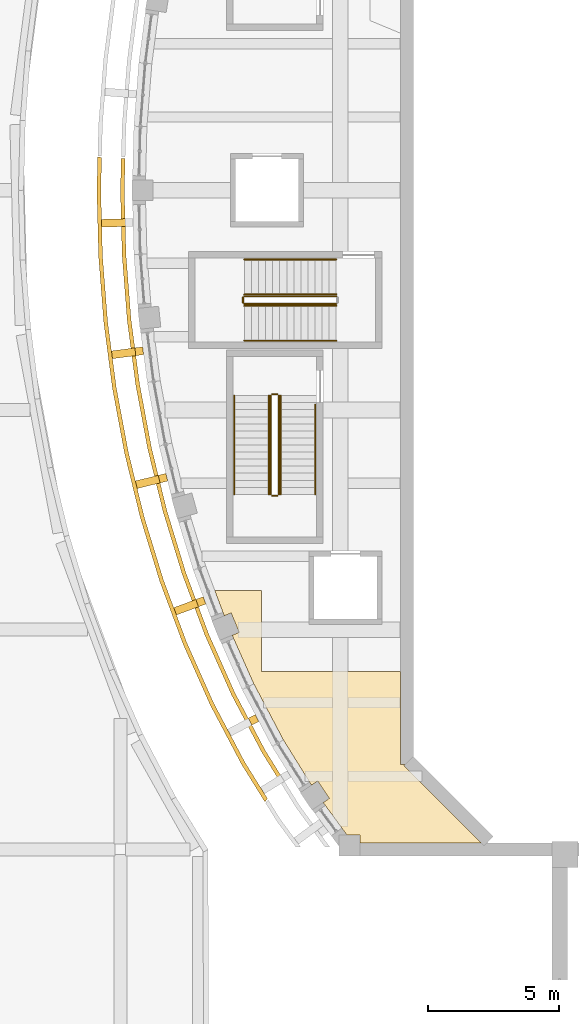
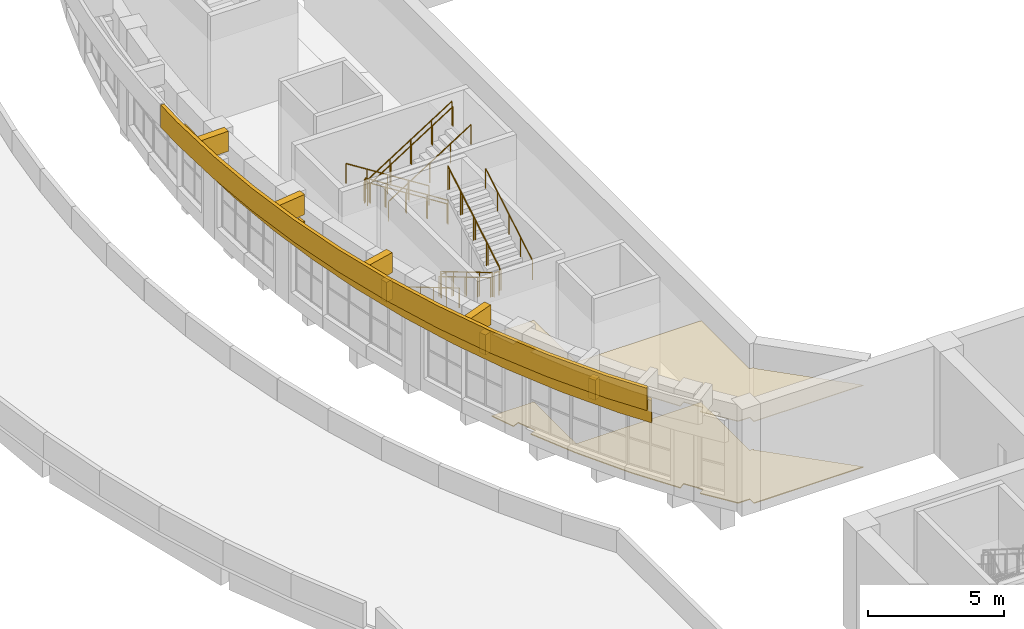
# One storey, part 67 of 79: 15 railings, 12 coverings.
"""IFC4 building model written with IfcOpenShell, lengths in metres."""

from ifc_helpers import new_model, si_unit, direction, frame, origin, origin_2d, place, context, subcontext, project, spatial, polyline, rectangle, circle, outline, extrude, material, layer, layer_set, type_object, element, save


model = new_model("IFC4")

# Units and contexts
model_context = context("Model", 3, precision=1e-05, world=origin(), true_north=direction((0.0, 1.0)))
body_context = subcontext(model_context, "Body", "Model", "MODEL_VIEW")
ifc_project = project(units=[si_unit("LENGTHUNIT", "METRE"), si_unit("AREAUNIT", "SQUARE_METRE"), si_unit("VOLUMEUNIT", "CUBIC_METRE"), si_unit("PLANEANGLEUNIT", "RADIAN"), si_unit("MASSUNIT", "GRAM", prefix="KILO")], contexts=[model_context])

# Site, building, storey
site_placement = place(None, origin())
site = spatial("IfcSite", under=ifc_project, at=site_placement, CompositionType="ELEMENT")
building_placement = place(site_placement, origin())
building = spatial("IfcBuilding", under=site, at=building_placement, Name="Larchfold Concert Hall", CompositionType="ELEMENT")
storey_placement = place(building_placement, frame((0.0, 0.0, 14.39990234375)))
storey = spatial("IfcBuildingStorey", under=building, at=storey_placement, Name="L03", CompositionType="ELEMENT", Elevation=14.39990234375)

# Coverings
ifc_material_1 = material(Name="Plasterboard ceiling lining")
ifc_layer_1 = layer(ifc_material_1, 0.030029296875)
ifc_layer_set_1 = layer_set([ifc_layer_1], Name="Plasterboard ceiling lining")
covering_type_1 = type_object("IfcCoveringType", Name="Ceiling suspended plasterboard 30", PredefinedType="CEILING", material=ifc_layer_set_1)
covering_1_placement = place(storey_placement, frame((0.0, 0.0, 3.670166015625)))
element("IfcCovering", 1, at=covering_1_placement, inside=storey, type_object=covering_type_1, Name="Ceiling Hall Foyer South West", PredefinedType="CEILING", context=body_context, shape_type="SweptSolid", body=[
    extrude(outline(polyline([(28.10009765625, 66.199951171875), (22.800048828125, 66.199951171875), (22.800048828125, 69.300048828125), (21.00634765625, 69.300048828125), (21.367919921875, 68.328369140625), (21.63427734375, 68.43701171875), (21.936279296875, 67.696044921875), (21.670166015625, 67.587646484375), (22.4970703125, 65.731201171875), (23.63134765625, 63.580078125), (24.702880859375, 61.855224609375), (24.93896484375, 62.014404296875), (25.385986328125, 61.35107421875), (25.150390625, 61.1923828125), (26.060302734375, 59.94970703125), (26.552978515625, 59.94970703125), (26.552978515625, 59.64990234375), (31.196533203125, 59.64990234375), (28.24609375, 62.600341796875), (28.29443359375, 62.648681640625), (28.10009765625, 62.648681640625), (28.10009765625, 66.199951171875)])), origin(), (0.0, 0.0, 1.0), 0.030029296875),
])
ifc_material_2 = material(Name="Polished terrazzo")
ifc_layer_2 = layer(ifc_material_2, 0.0400390625)
ifc_layer_set_2 = layer_set([ifc_layer_2], Name="Polished terrazzo")
covering_type_2 = type_object("IfcCoveringType", Name="Floor finish terrazzo 40", PredefinedType="FLOORING", material=ifc_layer_set_2)
covering_2_placement = place(storey_placement, origin())
element("IfcCovering", 2, at=covering_2_placement, inside=storey, type_object=covering_type_2, Name="Floor finish Hall Foyer South West", PredefinedType="FLOORING", context=body_context, shape_type="SweptSolid", body=[
    extrude(outline(polyline([(28.10009765625, 66.199951171875), (22.800048828125, 66.199951171875), (22.800048828125, 69.300048828125), (21.00634765625, 69.300048828125), (21.367919921875, 68.328369140625), (21.63427734375, 68.43701171875), (21.936279296875, 67.696044921875), (21.670166015625, 67.587646484375), (22.4970703125, 65.731201171875), (23.63134765625, 63.580078125), (24.702880859375, 61.855224609375), (24.93896484375, 62.014404296875), (25.385986328125, 61.35107421875), (25.150390625, 61.1923828125), (26.060302734375, 59.94970703125), (26.552978515625, 59.94970703125), (26.552978515625, 59.64990234375), (31.196533203125, 59.64990234375), (28.24609375, 62.600341796875), (28.29443359375, 62.648681640625), (28.10009765625, 62.648681640625), (28.10009765625, 66.199951171875)])), origin(), (0.0, 0.0, 1.0), 0.0400390625),
])
ifc_material_3 = material(Name="Powder-coated orange aluminium", Category="aluminium")
ifc_layer_3 = layer(ifc_material_3, 0.14990234375)
ifc_layer_set_3 = layer_set([ifc_layer_3], Name="Powder-coated orange aluminium")
covering_type_3 = type_object("IfcCoveringType", Name="Orange aluminium ring cladding", PredefinedType="CLADDING", material=ifc_layer_set_3)
covering_3_placement = place(storey_placement, frame((0.0, 0.0, 3.300048828125)))
element("IfcCovering", 3, at=covering_3_placement, inside=storey, type_object=covering_type_3, Name="Ring band R06c", PredefinedType="CLADDING", context=body_context, shape_type="SweptSolid", body=[
    extrude(outline(polyline([(17.550048828125, 84.60009765625), (17.581298828125, 85.81298828125), (17.431396484375, 85.8203125), (17.39990234375, 84.60009765625), (17.46435546875, 82.115478515625), (17.658203125, 79.63720703125), (17.982666015625, 77.172119140625), (18.439208984375, 74.727294921875), (19.030029296875, 72.31005859375), (19.75830078125, 69.92919921875), (20.627685546875, 67.59423828125), (21.641845703125, 65.315673828125), (22.806640625, 63.107177734375), (23.52978515625, 61.943115234375), (23.63134765625, 62.06396484375), (22.936767578125, 63.181640625), (21.77685546875, 65.38134765625), (20.7666015625, 67.65087890625), (19.900634765625, 69.9775390625), (19.1748046875, 72.349853515625), (18.5859375, 74.7587890625), (18.130859375, 77.19580078125), (17.807373046875, 79.65283203125), (17.614013671875, 82.123291015625), (17.550048828125, 84.60009765625)])), origin(), (0.0, 0.0, 1.0), 1.0),
])
covering_4_placement = place(storey_placement, frame((0.0, 0.0, 4.5)))
element("IfcCovering", 4, at=covering_4_placement, inside=storey, type_object=covering_type_3, Name="Ring band R07c", PredefinedType="CLADDING", context=body_context, shape_type="SweptSolid", body=[
    extrude(outline(polyline([(16.649658203125, 84.60009765625), (16.68212890625, 85.857421875), (16.5322265625, 85.86474609375), (16.499755859375, 84.60009765625), (16.565185546875, 82.06884765625), (16.762939453125, 79.543212890625), (17.093505859375, 77.03076171875), (17.55908203125, 74.53759765625), (18.161865234375, 72.071533203125), (18.905517578125, 69.640380859375), (19.7939453125, 67.25390625), (20.831787109375, 64.92236328125), (22.025390625, 62.6591796875), (22.920654296875, 61.21826171875), (23.022216796875, 61.339111328125), (22.155517578125, 62.73388671875), (20.966796875, 64.988037109375), (19.932861328125, 67.310546875), (19.0478515625, 69.6884765625), (18.306640625, 72.111328125), (17.705810546875, 74.5693359375), (17.24169921875, 77.054443359375), (16.912109375, 79.558837890625), (16.715087890625, 82.076416015625), (16.649658203125, 84.60009765625)])), origin(), (0.0, 0.0, 1.0), 1.0),
])
ifc_material_4 = material(Name="Galvanised steel bracket", Category="steel")
ifc_layer_4 = layer(ifc_material_4, 0.300048828125)
ifc_layer_set_4 = layer_set([ifc_layer_4], Name="Galvanised steel bracket")
covering_type_4 = type_object("IfcCoveringType", Name="Ring support bracket", PredefinedType="CLADDING", material=ifc_layer_set_4)
for number, where, z_axis, x_axis, name in (
    (5, (18.117919921875, 78.44384765625, 3.35009765625), (0.0, 0.0, 1.0), (-0.991449907596, -0.130487856632, 0.0), "Ring bracket BR-R06-21"),
    (6, (19.026123046875, 73.590087890625, 3.35009765625), (0.0, 0.0, 1.0), (-0.971411707345, -0.237401126438, 0.0), "Ring bracket BR-R06-22"),
    (7, (20.47412109375, 68.86669921875, 3.35009765625), (0.0, 0.0, 1.0), (-0.937177411386, -0.348853120364, 0.0), "Ring bracket BR-R06-23"),
    (8, (22.489501953125, 64.351806640625, 3.35009765625), (0.0, 0.0, 1.0), (-0.884535681061, -0.466472538238, 0.0), "Ring bracket BR-R06-24"),
):
    element("IfcCovering", number, at=place(storey_placement, frame(where, z_axis=z_axis, x_axis=x_axis)), inside=storey, type_object=covering_type_4, Name=name, PredefinedType="CLADDING", context=body_context, shape_type="SweptSolid", body=[
        extrude(rectangle(XDim=0.300048828125, YDim=0.300048828125, at=origin_2d()), origin(), (0.0, 0.0, 1.0), 0.89990234375),
    ])
for number, where, z_axis, x_axis, name in (
    (9, (17.2822265625, 83.35400390625, 4.550048828125), (0.0, 0.0, 1.0), (-0.999665014874, -0.025881615792, 0.0), "Ring bracket BR-R07-20"),
    (10, (17.671630859375, 78.38525390625, 4.550048828125), (0.0, 0.0, 1.0), (-0.991449907596, -0.130487856632, 0.0), "Ring bracket BR-R07-21"),
    (11, (18.5888671875, 73.4833984375, 4.550048828125), (0.0, 0.0, 1.0), (-0.971411707345, -0.237401126438, 0.0), "Ring bracket BR-R07-22"),
    (12, (20.05224609375, 68.709716796875, 4.550048828125), (0.0, 0.0, 1.0), (-0.937177411386, -0.348853120364, 0.0), "Ring bracket BR-R07-23"),
):
    element("IfcCovering", number, at=place(storey_placement, frame(where, z_axis=z_axis, x_axis=x_axis)), inside=storey, type_object=covering_type_4, Name=name, PredefinedType="CLADDING", context=body_context, shape_type="SweptSolid", body=[
        extrude(rectangle(XDim=1.199951171875, YDim=0.300048828125, at=origin_2d()), origin(), (0.0, 0.0, 1.0), 0.89990234375),
    ])

# Railings
ifc_material_5 = material(Name="Stainless steel balustrade", Category="steel")
railing_type_1 = type_object("IfcRailingType", Name="Stair guard 1100", PredefinedType="GUARDRAIL", material=ifc_material_5)
railing_1_placement = place(storey_placement, frame((23.14990234375, 76.75, 0.16015625)))
element("IfcRailing", 13, at=railing_1_placement, inside=storey, type_object=railing_type_1, Name="Guard GR0021", PredefinedType="GUARDRAIL", context=body_context, shape_type="SweptSolid", body=[
    extrude(circle(Radius=0.02392578125, at=origin_2d()), frame((0.0, 0.0, 1.076171875), z_axis=(0.0, -0.860294241299, 0.509797821089), x_axis=(1.0, 0.0, 0.0)), (0.0, 0.0, 1.0), 4.393798828125),
    extrude(circle(Radius=0.02099609375, at=origin_2d()), origin(), (0.0, 0.0, 1.0), 1.052001953125),
    extrude(circle(Radius=0.02099609375, at=origin_2d()), frame((0.0, -0.945068359375, 0.56005859375)), (0.0, 0.0, 1.0), 1.052001953125),
    extrude(circle(Radius=0.02099609375, at=origin_2d()), frame((0.0, -1.89013671875, 1.1201171875)), (0.0, 0.0, 1.0), 1.052001953125),
    extrude(circle(Radius=0.02099609375, at=origin_2d()), frame((0.0, -2.8349609375, 1.679931640625)), (0.0, 0.0, 1.0), 1.052001953125),
    extrude(circle(Radius=0.02099609375, at=origin_2d()), frame((0.0, -3.780029296875, 2.239990234375)), (0.0, 0.0, 1.0), 1.052001953125),
])
railing_2_placement = place(storey_placement, frame((23.199951171875, 72.919921875, 2.400146484375)))
element("IfcRailing", 14, at=railing_2_placement, inside=storey, type_object=railing_type_1, Name="Guard GR0022", PredefinedType="GUARDRAIL", context=body_context, shape_type="SweptSolid", body=[
    extrude(circle(Radius=0.02392578125, at=origin_2d()), frame((0.0, 0.0, 1.076171875), z_axis=(1.0, 0.0, 0.0), x_axis=(0.0, 1.0, 0.0)), (0.0, 0.0, 1.0), 0.199951171875),
    extrude(circle(Radius=0.02099609375, at=origin_2d()), origin(), (0.0, 0.0, 1.0), 1.052001953125),
    extrude(circle(Radius=0.02099609375, at=origin_2d()), frame((0.199951171875, 0.0, 0.0)), (0.0, 0.0, 1.0), 1.052001953125),
])
railing_3_placement = place(storey_placement, frame((23.449951171875, 72.969970703125, 2.56005859375)))
element("IfcRailing", 15, at=railing_3_placement, inside=storey, type_object=railing_type_1, Name="Guard GR0023", PredefinedType="GUARDRAIL", context=body_context, shape_type="SweptSolid", body=[
    extrude(circle(Radius=0.02392578125, at=origin_2d()), frame((0.0, 0.0, 1.076171875), z_axis=(0.0, 0.860294241299, 0.509797821089), x_axis=(-1.0, 0.0, 0.0)), (0.0, 0.0, 1.0), 4.393798828125),
    extrude(circle(Radius=0.02099609375, at=origin_2d()), origin(), (0.0, 0.0, 1.0), 1.052001953125),
    extrude(circle(Radius=0.02099609375, at=origin_2d()), frame((0.0, 0.945068359375, 0.56005859375)), (0.0, 0.0, 1.0), 1.052001953125),
    extrude(circle(Radius=0.02099609375, at=origin_2d()), frame((0.0, 1.89013671875, 1.1201171875)), (0.0, 0.0, 1.0), 1.052001953125),
    extrude(circle(Radius=0.02099609375, at=origin_2d()), frame((0.0, 2.8349609375, 1.679931640625)), (0.0, 0.0, 1.0), 1.052001953125),
    extrude(circle(Radius=0.02099609375, at=origin_2d()), frame((0.0, 3.780029296875, 2.239990234375)), (0.0, 0.0, 1.0), 1.052001953125),
])
railing_4_placement = place(storey_placement, frame((23.199951171875, 76.800048828125, 0.0)))
element("IfcRailing", 16, at=railing_4_placement, inside=storey, type_object=railing_type_1, Name="Guard GR0024", PredefinedType="GUARDRAIL", context=body_context, shape_type="SweptSolid", body=[
    extrude(circle(Radius=0.02392578125, at=origin_2d()), frame((0.0, 0.0, 1.076171875), z_axis=(1.0, 0.0, 0.0), x_axis=(0.0, 1.0, 0.0)), (0.0, 0.0, 1.0), 0.199951171875),
    extrude(circle(Radius=0.02099609375, at=origin_2d()), origin(), (0.0, 0.0, 1.0), 1.052001953125),
    extrude(circle(Radius=0.02099609375, at=origin_2d()), frame((0.199951171875, 0.0, 0.0)), (0.0, 0.0, 1.0), 1.052001953125),
])
railing_5_placement = place(storey_placement, frame((25.64990234375, 80.550048828125, 0.171630859375)))
element("IfcRailing", 17, at=railing_5_placement, inside=storey, type_object=railing_type_1, Name="Guard GR0029", PredefinedType="GUARDRAIL", context=body_context, shape_type="SweptSolid", body=[
    extrude(circle(Radius=0.02392578125, at=origin_2d()), frame((0.0, 0.0, 1.076171875), z_axis=(-0.844219563411, 0.0, 0.53599750816), x_axis=(0.0, -1.0, 0.0)), (0.0, 0.0, 1.0), 4.15771484375),
    extrude(circle(Radius=0.02099609375, at=origin_2d()), origin(), (0.0, 0.0, 1.0), 1.052001953125),
    extrude(circle(Radius=0.02099609375, at=origin_2d()), frame((-0.87744140625, 0.0, 0.55712890625)), (0.0, 0.0, 1.0), 1.052001953125),
    extrude(circle(Radius=0.02099609375, at=origin_2d()), frame((-1.7548828125, 0.0, 1.1142578125)), (0.0, 0.0, 1.0), 1.052001953125),
    extrude(circle(Radius=0.02099609375, at=origin_2d()), frame((-2.632568359375, 0.0, 1.67138671875)), (0.0, 0.0, 1.0), 1.052001953125),
    extrude(circle(Radius=0.02099609375, at=origin_2d()), frame((-3.510009765625, 0.0, 2.228515625)), (0.0, 0.0, 1.0), 1.052001953125),
])
railing_6_placement = place(storey_placement, frame((22.08984375, 80.5, 2.400146484375)))
element("IfcRailing", 18, at=railing_6_placement, inside=storey, type_object=railing_type_1, Name="Guard GR0030", PredefinedType="GUARDRAIL", context=body_context, shape_type="SweptSolid", body=[
    extrude(circle(Radius=0.02392578125, at=origin_2d()), frame((0.0, 0.0, 1.076171875), z_axis=(0.0, -1.0, 0.0), x_axis=(1.0, 0.0, 0.0)), (0.0, 0.0, 1.0), 0.199951171875),
    extrude(circle(Radius=0.02099609375, at=origin_2d()), origin(), (0.0, 0.0, 1.0), 1.052001953125),
    extrude(circle(Radius=0.02099609375, at=origin_2d()), frame((0.0, -0.199951171875, 0.0)), (0.0, 0.0, 1.0), 1.052001953125),
])
railing_7_placement = place(storey_placement, frame((22.139892578125, 80.25, 2.571533203125)))
element("IfcRailing", 19, at=railing_7_placement, inside=storey, type_object=railing_type_1, Name="Guard GR0031", PredefinedType="GUARDRAIL", context=body_context, shape_type="SweptSolid", body=[
    extrude(circle(Radius=0.02392578125, at=origin_2d()), frame((0.0, 0.0, 1.076171875), z_axis=(0.844219563411, 0.0, 0.53599750816), x_axis=(0.0, 1.0, 0.0)), (0.0, 0.0, 1.0), 4.15771484375),
    extrude(circle(Radius=0.02099609375, at=origin_2d()), origin(), (0.0, 0.0, 1.0), 1.052001953125),
    extrude(circle(Radius=0.02099609375, at=origin_2d()), frame((0.87744140625, 0.0, 0.55712890625)), (0.0, 0.0, 1.0), 1.052001953125),
    extrude(circle(Radius=0.02099609375, at=origin_2d()), frame((1.7548828125, 0.0, 1.1142578125)), (0.0, 0.0, 1.0), 1.052001953125),
    extrude(circle(Radius=0.02099609375, at=origin_2d()), frame((2.632568359375, 0.0, 1.67138671875)), (0.0, 0.0, 1.0), 1.052001953125),
    extrude(circle(Radius=0.02099609375, at=origin_2d()), frame((3.510009765625, 0.0, 2.228515625)), (0.0, 0.0, 1.0), 1.052001953125),
])
ifc_material_6 = material(Name="Stainless steel handrail", Category="steel")
railing_type_2 = type_object("IfcRailingType", Name="Stair handrail 900", PredefinedType="HANDRAIL", material=ifc_material_6)
railing_8_placement = place(storey_placement, frame((21.75, 76.75, 0.16015625)))
element("IfcRailing", 20, at=railing_8_placement, inside=storey, type_object=railing_type_2, Name="Handrail HR0017", PredefinedType="HANDRAIL", context=body_context, shape_type="SweptSolid", body=[
    extrude(circle(Radius=0.02392578125, at=origin_2d()), frame((0.0, 0.0, 0.8759765625), z_axis=(0.0, -0.860294241299, 0.509797821089), x_axis=(1.0, 0.0, 0.0)), (0.0, 0.0, 1.0), 4.393798828125),
    extrude(circle(Radius=0.02099609375, at=origin_2d()), origin(), (0.0, 0.0, 1.0), 0.851806640625),
    extrude(circle(Radius=0.02099609375, at=origin_2d()), frame((0.0, -0.945068359375, 0.56005859375)), (0.0, 0.0, 1.0), 0.851806640625),
    extrude(circle(Radius=0.02099609375, at=origin_2d()), frame((0.0, -1.89013671875, 1.1201171875)), (0.0, 0.0, 1.0), 0.851806640625),
    extrude(circle(Radius=0.02099609375, at=origin_2d()), frame((0.0, -2.8349609375, 1.679931640625)), (0.0, 0.0, 1.0), 0.851806640625),
    extrude(circle(Radius=0.02099609375, at=origin_2d()), frame((0.0, -3.780029296875, 2.239990234375)), (0.0, 0.0, 1.0), 0.851806640625),
])
railing_9_placement = place(storey_placement, frame((24.85009765625, 72.969970703125, 2.56005859375)))
element("IfcRailing", 21, at=railing_9_placement, inside=storey, type_object=railing_type_2, Name="Handrail HR0018", PredefinedType="HANDRAIL", context=body_context, shape_type="SweptSolid", body=[
    extrude(circle(Radius=0.02392578125, at=origin_2d()), frame((0.0, 0.0, 0.8759765625), z_axis=(0.0, 0.860273629211, 0.509832602805), x_axis=(-1.0, 0.0, 0.0)), (0.0, 0.0, 1.0), 3.987060546875),
    extrude(circle(Radius=0.02099609375, at=origin_2d()), origin(), (0.0, 0.0, 1.0), 0.851806640625),
    extrude(circle(Radius=0.02099609375, at=origin_2d()), frame((0.0, 0.857421875, 0.50830078125)), (0.0, 0.0, 1.0), 0.851806640625),
    extrude(circle(Radius=0.02099609375, at=origin_2d()), frame((0.0, 1.71484375, 1.016357421875)), (0.0, 0.0, 1.0), 0.851806640625),
    extrude(circle(Radius=0.02099609375, at=origin_2d()), frame((0.0, 2.572509765625, 1.5244140625)), (0.0, 0.0, 1.0), 0.851806640625),
    extrude(circle(Radius=0.02099609375, at=origin_2d()), frame((0.0, 3.429931640625, 2.03271484375)), (0.0, 0.0, 1.0), 0.851806640625),
])
railing_10_placement = place(storey_placement, frame((23.079833984375, 76.75, 0.16015625)))
element("IfcRailing", 22, at=railing_10_placement, inside=storey, type_object=railing_type_2, Name="Handrail HR0019", PredefinedType="HANDRAIL", context=body_context, shape_type="SweptSolid", body=[
    extrude(circle(Radius=0.02392578125, at=origin_2d()), frame((0.0, 0.0, 0.8759765625), z_axis=(0.0, -0.860294241299, 0.509797821089), x_axis=(1.0, 0.0, 0.0)), (0.0, 0.0, 1.0), 4.393798828125),
    extrude(circle(Radius=0.02099609375, at=origin_2d()), origin(), (0.0, 0.0, 1.0), 0.851806640625),
    extrude(circle(Radius=0.02099609375, at=origin_2d()), frame((0.0, -0.945068359375, 0.56005859375)), (0.0, 0.0, 1.0), 0.851806640625),
    extrude(circle(Radius=0.02099609375, at=origin_2d()), frame((0.0, -1.89013671875, 1.1201171875)), (0.0, 0.0, 1.0), 0.851806640625),
    extrude(circle(Radius=0.02099609375, at=origin_2d()), frame((0.0, -2.8349609375, 1.679931640625)), (0.0, 0.0, 1.0), 0.851806640625),
    extrude(circle(Radius=0.02099609375, at=origin_2d()), frame((0.0, -3.780029296875, 2.239990234375)), (0.0, 0.0, 1.0), 0.851806640625),
])
railing_11_placement = place(storey_placement, frame((23.52001953125, 72.969970703125, 2.56005859375)))
element("IfcRailing", 23, at=railing_11_placement, inside=storey, type_object=railing_type_2, Name="Handrail HR0020", PredefinedType="HANDRAIL", context=body_context, shape_type="SweptSolid", body=[
    extrude(circle(Radius=0.02392578125, at=origin_2d()), frame((0.0, 0.0, 0.8759765625), z_axis=(0.0, 0.860294241299, 0.509797821089), x_axis=(-1.0, 0.0, 0.0)), (0.0, 0.0, 1.0), 4.393798828125),
    extrude(circle(Radius=0.02099609375, at=origin_2d()), origin(), (0.0, 0.0, 1.0), 0.851806640625),
    extrude(circle(Radius=0.02099609375, at=origin_2d()), frame((0.0, 0.945068359375, 0.56005859375)), (0.0, 0.0, 1.0), 0.851806640625),
    extrude(circle(Radius=0.02099609375, at=origin_2d()), frame((0.0, 1.89013671875, 1.1201171875)), (0.0, 0.0, 1.0), 0.851806640625),
    extrude(circle(Radius=0.02099609375, at=origin_2d()), frame((0.0, 2.8349609375, 1.679931640625)), (0.0, 0.0, 1.0), 0.851806640625),
    extrude(circle(Radius=0.02099609375, at=origin_2d()), frame((0.0, 3.780029296875, 2.239990234375)), (0.0, 0.0, 1.0), 0.851806640625),
])
railing_12_placement = place(storey_placement, frame((25.64990234375, 81.949951171875, 0.171630859375)))
element("IfcRailing", 24, at=railing_12_placement, inside=storey, type_object=railing_type_2, Name="Handrail HR0025", PredefinedType="HANDRAIL", context=body_context, shape_type="SweptSolid", body=[
    extrude(circle(Radius=0.02392578125, at=origin_2d()), frame((0.0, 0.0, 0.8759765625), z_axis=(-0.844219563411, 0.0, 0.53599750816), x_axis=(0.0, -1.0, 0.0)), (0.0, 0.0, 1.0), 4.15771484375),
    extrude(circle(Radius=0.02099609375, at=origin_2d()), origin(), (0.0, 0.0, 1.0), 0.851806640625),
    extrude(circle(Radius=0.02099609375, at=origin_2d()), frame((-0.87744140625, 0.0, 0.55712890625)), (0.0, 0.0, 1.0), 0.851806640625),
    extrude(circle(Radius=0.02099609375, at=origin_2d()), frame((-1.7548828125, 0.0, 1.1142578125)), (0.0, 0.0, 1.0), 0.851806640625),
    extrude(circle(Radius=0.02099609375, at=origin_2d()), frame((-2.632568359375, 0.0, 1.67138671875)), (0.0, 0.0, 1.0), 0.851806640625),
    extrude(circle(Radius=0.02099609375, at=origin_2d()), frame((-3.510009765625, 0.0, 2.228515625)), (0.0, 0.0, 1.0), 0.851806640625),
])
railing_13_placement = place(storey_placement, frame((22.139892578125, 78.85009765625, 2.571533203125)))
element("IfcRailing", 25, at=railing_13_placement, inside=storey, type_object=railing_type_2, Name="Handrail HR0026", PredefinedType="HANDRAIL", context=body_context, shape_type="SweptSolid", body=[
    extrude(circle(Radius=0.02392578125, at=origin_2d()), frame((0.0, 0.0, 0.8759765625), z_axis=(0.844219563411, 0.0, 0.53599750816), x_axis=(0.0, 1.0, 0.0)), (0.0, 0.0, 1.0), 4.15771484375),
    extrude(circle(Radius=0.02099609375, at=origin_2d()), origin(), (0.0, 0.0, 1.0), 0.851806640625),
    extrude(circle(Radius=0.02099609375, at=origin_2d()), frame((0.87744140625, 0.0, 0.55712890625)), (0.0, 0.0, 1.0), 0.851806640625),
    extrude(circle(Radius=0.02099609375, at=origin_2d()), frame((1.7548828125, 0.0, 1.1142578125)), (0.0, 0.0, 1.0), 0.851806640625),
    extrude(circle(Radius=0.02099609375, at=origin_2d()), frame((2.632568359375, 0.0, 1.67138671875)), (0.0, 0.0, 1.0), 0.851806640625),
    extrude(circle(Radius=0.02099609375, at=origin_2d()), frame((3.510009765625, 0.0, 2.228515625)), (0.0, 0.0, 1.0), 0.851806640625),
])
railing_14_placement = place(storey_placement, frame((25.64990234375, 80.6201171875, 0.171630859375)))
element("IfcRailing", 26, at=railing_14_placement, inside=storey, type_object=railing_type_2, Name="Handrail HR0027", PredefinedType="HANDRAIL", context=body_context, shape_type="SweptSolid", body=[
    extrude(circle(Radius=0.02392578125, at=origin_2d()), frame((0.0, 0.0, 0.8759765625), z_axis=(-0.844219563411, 0.0, 0.53599750816), x_axis=(0.0, -1.0, 0.0)), (0.0, 0.0, 1.0), 4.15771484375),
    extrude(circle(Radius=0.02099609375, at=origin_2d()), origin(), (0.0, 0.0, 1.0), 0.851806640625),
    extrude(circle(Radius=0.02099609375, at=origin_2d()), frame((-0.87744140625, 0.0, 0.55712890625)), (0.0, 0.0, 1.0), 0.851806640625),
    extrude(circle(Radius=0.02099609375, at=origin_2d()), frame((-1.7548828125, 0.0, 1.1142578125)), (0.0, 0.0, 1.0), 0.851806640625),
    extrude(circle(Radius=0.02099609375, at=origin_2d()), frame((-2.632568359375, 0.0, 1.67138671875)), (0.0, 0.0, 1.0), 0.851806640625),
    extrude(circle(Radius=0.02099609375, at=origin_2d()), frame((-3.510009765625, 0.0, 2.228515625)), (0.0, 0.0, 1.0), 0.851806640625),
])
railing_15_placement = place(storey_placement, frame((22.139892578125, 80.179931640625, 2.571533203125)))
element("IfcRailing", 27, at=railing_15_placement, inside=storey, type_object=railing_type_2, Name="Handrail HR0028", PredefinedType="HANDRAIL", context=body_context, shape_type="SweptSolid", body=[
    extrude(circle(Radius=0.02392578125, at=origin_2d()), frame((0.0, 0.0, 0.8759765625), z_axis=(0.844219563411, 0.0, 0.53599750816), x_axis=(0.0, 1.0, 0.0)), (0.0, 0.0, 1.0), 4.15771484375),
    extrude(circle(Radius=0.02099609375, at=origin_2d()), origin(), (0.0, 0.0, 1.0), 0.851806640625),
    extrude(circle(Radius=0.02099609375, at=origin_2d()), frame((0.87744140625, 0.0, 0.55712890625)), (0.0, 0.0, 1.0), 0.851806640625),
    extrude(circle(Radius=0.02099609375, at=origin_2d()), frame((1.7548828125, 0.0, 1.1142578125)), (0.0, 0.0, 1.0), 0.851806640625),
    extrude(circle(Radius=0.02099609375, at=origin_2d()), frame((2.632568359375, 0.0, 1.67138671875)), (0.0, 0.0, 1.0), 0.851806640625),
    extrude(circle(Radius=0.02099609375, at=origin_2d()), frame((3.510009765625, 0.0, 2.228515625)), (0.0, 0.0, 1.0), 0.851806640625),
])

save(model, "model.ifc")
